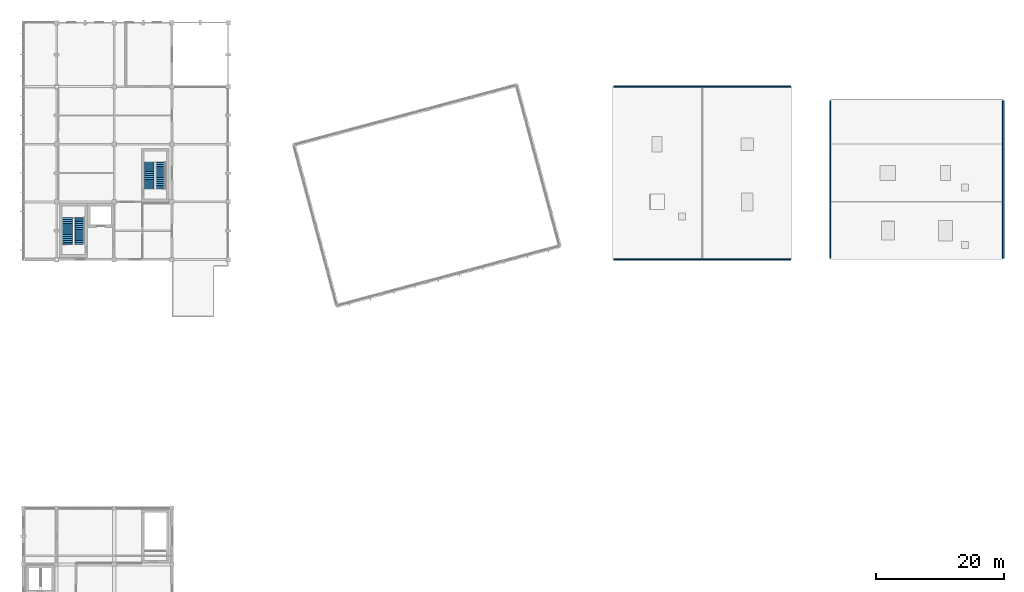
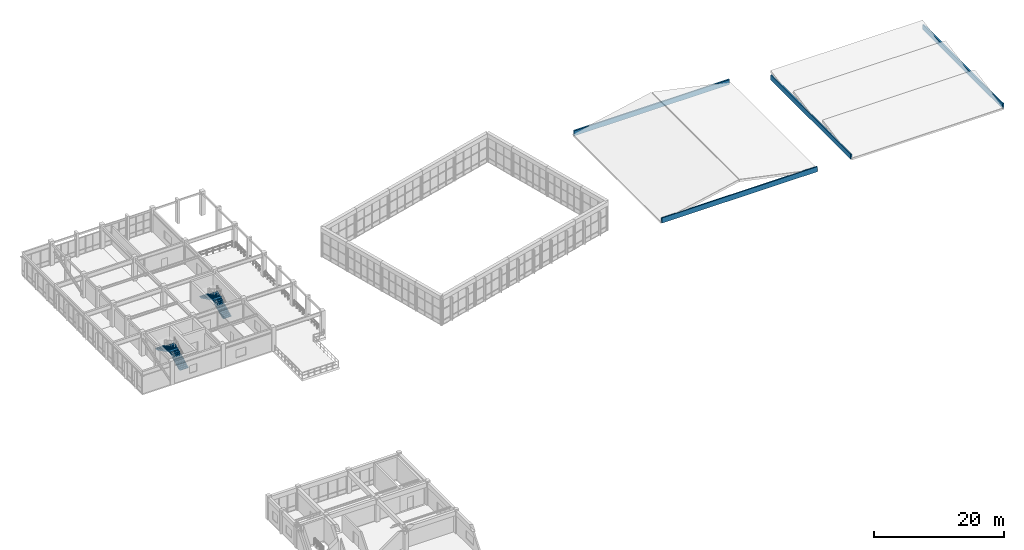
# One storey, part 46 of 55: 4 stair flights, 4 walls, 2 elements without a shape of their own.
"""IFC4 building model written with IfcOpenShell, lengths in metres."""

from ifc_helpers import new_model, si_unit, direction, frame, frame_2d, origin, place, context, subcontext, project, spatial, polyline, rectangle, outline, extrude, material, layer, layer_set, type_object, element, aggregate, save


model = new_model("IFC4")

# Units and contexts
model_context = context("Model", 3, precision=1e-05, world=origin(), true_north=direction((0.0, 1.0)))
body_context = subcontext(model_context, "Body", "Model", "MODEL_VIEW")
ifc_project = project(units=[si_unit("LENGTHUNIT", "METRE"), si_unit("AREAUNIT", "SQUARE_METRE"), si_unit("VOLUMEUNIT", "CUBIC_METRE"), si_unit("PLANEANGLEUNIT", "RADIAN"), si_unit("MASSUNIT", "GRAM", prefix="KILO")], contexts=[model_context])

# Site, building, storey
site_placement = place(None, origin())
site = spatial("IfcSite", under=ifc_project, at=site_placement, CompositionType="ELEMENT")
building_placement = place(site_placement, origin())
building = spatial("IfcBuilding", under=site, at=building_placement, Name="Ventoquebrada Cableway Terminal", CompositionType="ELEMENT")
storey_placement = place(building_placement, frame((0.0, 0.0, 14.39990234375)))
storey = spatial("IfcBuildingStorey", under=building, at=storey_placement, Name="L03", CompositionType="ELEMENT", Elevation=14.39990234375)

# Walls
ifc_material_1 = material(Name="Precast architectural concrete C40/50", Category="concrete")
ifc_layer_1 = layer(ifc_material_1, 0.219970703125)
ifc_layer_set_1 = layer_set([ifc_layer_1], Name="Precast architectural concrete C40/50")
wall_type_1 = type_object("IfcWallType", Name="WL-PR1", PredefinedType="PARAPET", material=ifc_layer_set_1)
wall_1_placement = place(storey_placement, frame((95.199951171875, 77.0, -0.27978515625), z_axis=(0.0, 0.0, 1.0), x_axis=(1.0, 0.0, 0.0)))
element("IfcWall", 1, at=wall_1_placement, inside=storey, type_object=wall_type_1, Name="Perimeter roof parapet PR-0303", PredefinedType="PARAPET", context=body_context, shape_type="SweptSolid", body=[
    extrude(rectangle(XDim=27.60009765625, YDim=0.219970703125, at=frame_2d((13.800048828125, 0.0))), origin(), (0.0, 0.0, 1.0), 0.949951171875),
])
wall_2_placement = place(storey_placement, frame((129.0, 77.199951171875, -0.27001953125), z_axis=(0.0, 0.0, 1.0), x_axis=(0.0, 1.0, 0.0)))
element("IfcWall", 2, at=wall_2_placement, inside=storey, type_object=wall_type_1, Name="Perimeter roof parapet PR-0305", PredefinedType="PARAPET", context=body_context, shape_type="SweptSolid", body=[
    extrude(rectangle(XDim=24.60009765625, YDim=0.219970703125, at=frame_2d((12.300048828125, 0.0))), origin(), (0.0, 0.0, 1.0), 0.9501953125),
])
ifc_layer_2 = layer(ifc_material_1, 0.25)
ifc_layer_set_2 = layer_set([ifc_layer_2], Name="Precast architectural concrete C40/50")
wall_type_2 = type_object("IfcWallType", Name="WL-PR2", PredefinedType="PARAPET", material=ifc_layer_set_2)
wall_3_placement = place(storey_placement, frame((95.199951171875, 104.0, -0.27978515625), z_axis=(0.0, 0.0, 1.0), x_axis=(1.0, 0.0, 0.0)))
element("IfcWall", 3, at=wall_3_placement, inside=storey, type_object=wall_type_2, Name="Perimeter roof parapet PR-0304", PredefinedType="PARAPET", context=body_context, shape_type="SweptSolid", body=[
    extrude(rectangle(XDim=27.60009765625, YDim=0.25, at=frame_2d((13.800048828125, 0.0))), origin(), (0.0, 0.0, 1.0), 0.949951171875),
])
wall_4_placement = place(storey_placement, frame((156.0, 77.199951171875, -0.27001953125), z_axis=(0.0, 0.0, 1.0), x_axis=(0.0, 1.0, 0.0)))
element("IfcWall", 4, at=wall_4_placement, inside=storey, type_object=wall_type_2, Name="Perimeter roof parapet PR-0306", PredefinedType="PARAPET", context=body_context, shape_type="SweptSolid", body=[
    extrude(rectangle(XDim=24.60009765625, YDim=0.25, at=frame_2d((12.300048828125, 0.0))), origin(), (0.0, 0.0, 1.0), 0.9501953125),
])

# Stair, stair flights
ifc_material_2 = material(Name="Concrete C40/50", Category="concrete")
stair_type_1 = type_object("IfcStairType", Name="ST-T01", PredefinedType="HALF_TURN_STAIR", material=ifc_material_2)
stair_1_placement = place(storey_placement, origin())
stair_1 = element("IfcStair", 5, at=stair_1_placement, inside=storey, type_object=stair_type_1, Name="Protected half-turn stair ST-17", PredefinedType="HALF_TURN_STAIR")
stair_flight_type_1 = type_object("IfcStairFlightType", Name="SF-T01", PredefinedType="STRAIGHT", material=ifc_material_2)
stair_flight_1_placement = place(storey_placement, frame((11.824951171875, 79.35009765625, 0.0), z_axis=(0.0, 0.0, 1.0), x_axis=(0.0, 1.0, 0.0)))
stair_flight_1 = element("IfcStairFlight", 6, at=stair_flight_1_placement, type_object=stair_flight_type_1, Name="Lower stair flight SF-033", NumberOfRisers=15, NumberOfTreads=14, PredefinedType="STRAIGHT", RiserHeight=0.15, TreadLength=0.3, context=body_context, shape_type="SweptSolid", body=[
    extrude(outline(polyline([(0.0, 0.0), (0.0, 0.14990234375), (0.29638671875, 0.14990234375), (0.29638671875, 0.300048828125), (0.5927734375, 0.300048828125), (0.5927734375, 0.449951171875), (0.889404296875, 0.449951171875), (0.889404296875, 0.60009765625), (1.185791015625, 0.60009765625), (1.185791015625, 0.75), (1.482177734375, 0.75), (1.482177734375, 0.89990234375), (1.778564453125, 0.89990234375), (1.778564453125, 1.050048828125), (2.074951171875, 1.050048828125), (2.074951171875, 1.199951171875), (2.371337890625, 1.199951171875), (2.371337890625, 1.35009765625), (2.66796875, 1.35009765625), (2.66796875, 1.5), (2.96435546875, 1.5), (2.96435546875, 1.64990234375), (3.2607421875, 1.64990234375), (3.2607421875, 1.800048828125), (3.55712890625, 1.800048828125), (3.55712890625, 1.949951171875), (3.853515625, 1.949951171875), (3.853515625, 2.10009765625), (4.14990234375, 2.10009765625), (4.14990234375, 2.25), (4.199951171875, 2.25), (4.199951171875, 1.87646484375), (0.447021484375, 0.0), (0.0, 0.0)])), frame((0.0, 0.77490234375, 0.0), z_axis=(0.0, -1.0, 0.0), x_axis=(1.0, 0.0, 0.0)), (0.0, 0.0, 1.0), 1.550048828125),
])
stair_flight_2_placement = place(storey_placement, frame((9.9150390625, 83.550048828125, 2.25), z_axis=(0.0, 0.0, 1.0), x_axis=(0.0, -1.0, 0.0)))
stair_flight_2 = element("IfcStairFlight", 7, at=stair_flight_2_placement, type_object=stair_flight_type_1, Name="Upper stair flight SF-034", NumberOfRisers=15, NumberOfTreads=14, PredefinedType="STRAIGHT", RiserHeight=0.15, TreadLength=0.3, context=body_context, shape_type="SweptSolid", body=[
    extrude(outline(polyline([(0.0, 0.0), (0.0, 0.14990234375), (0.29638671875, 0.14990234375), (0.29638671875, 0.300048828125), (0.5927734375, 0.300048828125), (0.5927734375, 0.449951171875), (0.889404296875, 0.449951171875), (0.889404296875, 0.60009765625), (1.185791015625, 0.60009765625), (1.185791015625, 0.75), (1.482177734375, 0.75), (1.482177734375, 0.89990234375), (1.778564453125, 0.89990234375), (1.778564453125, 1.050048828125), (2.074951171875, 1.050048828125), (2.074951171875, 1.199951171875), (2.371337890625, 1.199951171875), (2.371337890625, 1.35009765625), (2.66796875, 1.35009765625), (2.66796875, 1.5), (2.96435546875, 1.5), (2.96435546875, 1.64990234375), (3.2607421875, 1.64990234375), (3.2607421875, 1.800048828125), (3.55712890625, 1.800048828125), (3.55712890625, 1.949951171875), (3.853515625, 1.949951171875), (3.853515625, 2.10009765625), (4.14990234375, 2.10009765625), (4.14990234375, 2.25), (4.199951171875, 2.25), (4.199951171875, 1.87646484375), (0.447021484375, 0.0), (0.0, 0.0)])), frame((0.0, 0.77490234375, 0.0), z_axis=(0.0, -1.0, 0.0), x_axis=(1.0, 0.0, 0.0)), (0.0, 0.0, 1.0), 1.550048828125),
])
aggregate(stair_1, [stair_flight_1, stair_flight_2])

stair_type_2 = type_object("IfcStairType", Name="ST-T06", PredefinedType="HALF_TURN_STAIR", material=ifc_material_2)
stair_2_placement = place(storey_placement, origin())
stair_2 = element("IfcStair", 8, at=stair_2_placement, inside=storey, type_object=stair_type_2, Name="Protected half-turn stair ST-18", PredefinedType="HALF_TURN_STAIR")
stair_flight_type_2 = type_object("IfcStairFlightType", Name="SF-T06", PredefinedType="STRAIGHT", material=ifc_material_2)
stair_flight_3_placement = place(storey_placement, frame((24.47509765625, 88.0, 0.0), z_axis=(0.0, 0.0, 1.0), x_axis=(0.0, 1.0, 0.0)))
stair_flight_3 = element("IfcStairFlight", 9, at=stair_flight_3_placement, type_object=stair_flight_type_2, Name="Lower stair flight SF-035", NumberOfRisers=15, NumberOfTreads=14, PredefinedType="STRAIGHT", RiserHeight=0.15, TreadLength=0.3, context=body_context, shape_type="SweptSolid", body=[
    extrude(outline(polyline([(0.0, 0.0), (0.0, 0.14990234375), (0.29638671875, 0.14990234375), (0.29638671875, 0.300048828125), (0.5927734375, 0.300048828125), (0.5927734375, 0.449951171875), (0.889404296875, 0.449951171875), (0.889404296875, 0.60009765625), (1.185791015625, 0.60009765625), (1.185791015625, 0.75), (1.482177734375, 0.75), (1.482177734375, 0.89990234375), (1.778564453125, 0.89990234375), (1.778564453125, 1.050048828125), (2.074951171875, 1.050048828125), (2.074951171875, 1.199951171875), (2.371337890625, 1.199951171875), (2.371337890625, 1.35009765625), (2.66796875, 1.35009765625), (2.66796875, 1.5), (2.96435546875, 1.5), (2.96435546875, 1.64990234375), (3.2607421875, 1.64990234375), (3.2607421875, 1.800048828125), (3.55712890625, 1.800048828125), (3.55712890625, 1.949951171875), (3.853515625, 1.949951171875), (3.853515625, 2.10009765625), (4.14990234375, 2.10009765625), (4.14990234375, 2.25), (4.199951171875, 2.25), (4.199951171875, 1.87646484375), (0.447021484375, 0.0), (0.0, 0.0)])), frame((0.0, 0.72509765625, 0.0), z_axis=(0.0, -1.0, 0.0), x_axis=(1.0, 0.0, 0.0)), (0.0, 0.0, 1.0), 1.449951171875),
])
stair_flight_4_placement = place(storey_placement, frame((22.6650390625, 92.199951171875, 2.25), z_axis=(0.0, 0.0, 1.0), x_axis=(0.0, -1.0, 0.0)))
stair_flight_4 = element("IfcStairFlight", 10, at=stair_flight_4_placement, type_object=stair_flight_type_2, Name="Upper stair flight SF-036", NumberOfRisers=15, NumberOfTreads=14, PredefinedType="STRAIGHT", RiserHeight=0.15, TreadLength=0.3, context=body_context, shape_type="SweptSolid", body=[
    extrude(outline(polyline([(0.0, 0.0), (0.0, 0.14990234375), (0.29638671875, 0.14990234375), (0.29638671875, 0.300048828125), (0.5927734375, 0.300048828125), (0.5927734375, 0.449951171875), (0.889404296875, 0.449951171875), (0.889404296875, 0.60009765625), (1.185791015625, 0.60009765625), (1.185791015625, 0.75), (1.482177734375, 0.75), (1.482177734375, 0.89990234375), (1.778564453125, 0.89990234375), (1.778564453125, 1.050048828125), (2.074951171875, 1.050048828125), (2.074951171875, 1.199951171875), (2.371337890625, 1.199951171875), (2.371337890625, 1.35009765625), (2.66796875, 1.35009765625), (2.66796875, 1.5), (2.96435546875, 1.5), (2.96435546875, 1.64990234375), (3.2607421875, 1.64990234375), (3.2607421875, 1.800048828125), (3.55712890625, 1.800048828125), (3.55712890625, 1.949951171875), (3.853515625, 1.949951171875), (3.853515625, 2.10009765625), (4.14990234375, 2.10009765625), (4.14990234375, 2.25), (4.199951171875, 2.25), (4.199951171875, 1.87646484375), (0.447021484375, 0.0), (0.0, 0.0)])), frame((0.0, 0.72509765625, 0.0), z_axis=(0.0, -1.0, 0.0), x_axis=(1.0, 0.0, 0.0)), (0.0, 0.0, 1.0), 1.449951171875),
])
aggregate(stair_2, [stair_flight_3, stair_flight_4])

save(model, "model.ifc")
